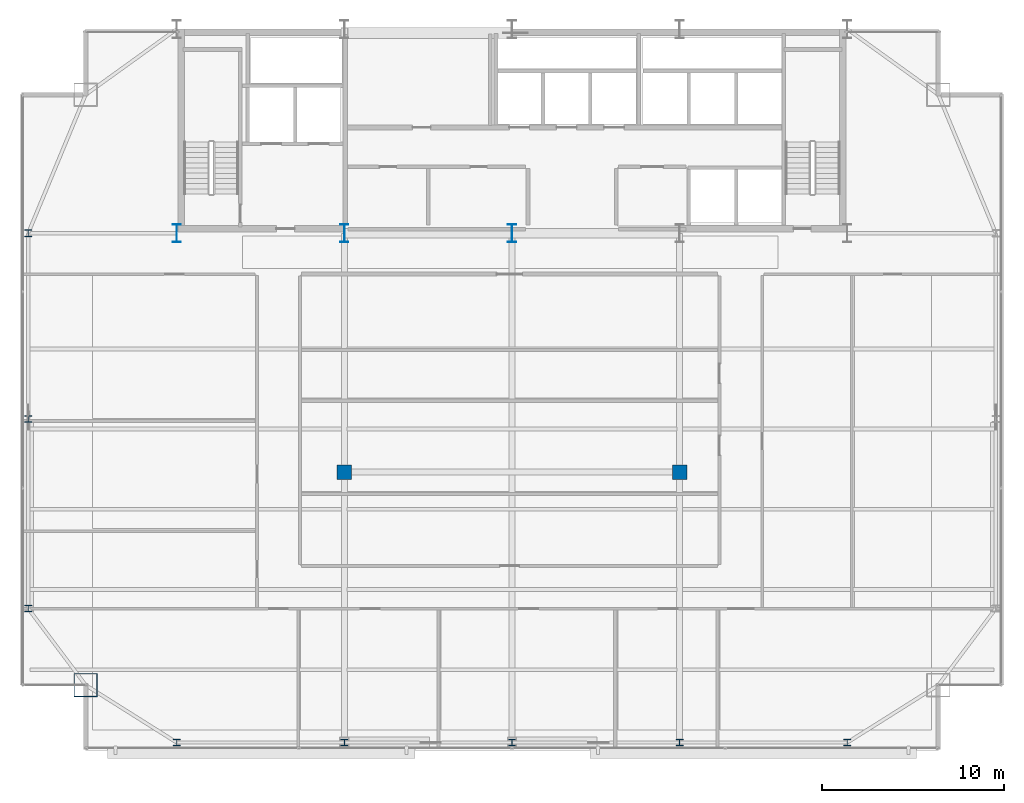
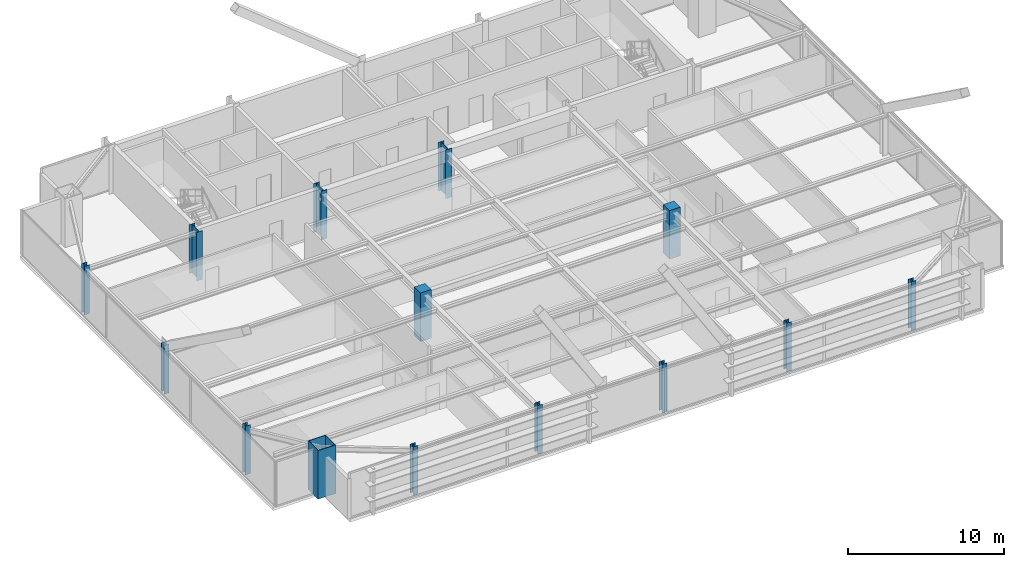
# One storey, part 1 of 30: 14 columns.
"""IFC4 building model written with IfcOpenShell, lengths in metres."""

from ifc_helpers import new_model, si_unit, direction, frame, origin, origin_2d, place, context, subcontext, project, spatial, rectangle, hollow_rectangle, i_section, extrude, source, transform, mapped, material, material_profile, profile_set, type_object, type_shapes, element, save


model = new_model("IFC4")

# Units and contexts
model_context = context("Model", 3, precision=1e-05, world=origin(), true_north=direction((0.0, 1.0)))
body_context = subcontext(model_context, "Body", "Model", "MODEL_VIEW")
ifc_project = project(units=[si_unit("LENGTHUNIT", "METRE"), si_unit("AREAUNIT", "SQUARE_METRE"), si_unit("VOLUMEUNIT", "CUBIC_METRE"), si_unit("PLANEANGLEUNIT", "RADIAN"), si_unit("MASSUNIT", "GRAM", prefix="KILO")], contexts=[model_context])

# Site, building, storey
site_placement = place(None, origin())
site = spatial("IfcSite", under=ifc_project, at=site_placement, CompositionType="ELEMENT")
building_placement = place(site_placement, origin())
building = spatial("IfcBuilding", under=site, at=building_placement, Name="Varnel Quay Broadcast Tower", CompositionType="ELEMENT")
storey_placement = place(building_placement, frame((0.0, 0.0, 180.0)))
storey = spatial("IfcBuildingStorey", under=building, at=storey_placement, Name="L44", CompositionType="ELEMENT", Elevation=180.0)

# Columns
ifc_material_1 = material(Name="Structural Steel CSA G40.21 350WT", Category="steel")
ifc_material_profile_1 = material_profile(ifc_material_1, i_section(OverallWidth=0.449951171875, OverallDepth=1.0, WebThickness=0.01611328125, FlangeThickness=0.030029296875, FilletRadius=0.01611328125, at=origin_2d()), Name="WWF1000X362")
ifc_profile_set_1 = profile_set([ifc_material_profile_1], Name="Structural Steel CSA G40.21 350WT")
column_type_1 = type_object("IfcColumnType", Name="Col_WWF1000X362", PredefinedType="COLUMN", material=ifc_profile_set_1)
shared_shape_1 = source(origin(), body_context, "Body", "SweptSolid", [
    extrude(i_section(OverallWidth=0.449951171875, OverallDepth=1.0, WebThickness=0.01611328125, FlangeThickness=0.030029296875, FilletRadius=0.01611328125, at=origin_2d()), origin(), (0.0, 0.0, 1.0), 3.800048828125),
])
type_shapes(column_type_1, [shared_shape_1])
for number, where, z_axis, x_axis, name in (
    (1, (15.60009765625, 35.60009765625, 0.0), (0.0, 0.0, 1.0), (1.0, 0.0, 0.0), "L44 Column CC-S1"),
    (2, (24.800048828125, 35.60009765625, 0.0), (0.0, 0.0, 1.0), (1.0, 0.0, 0.0), "L44 Column CC-S2"),
    (3, (34.0, 35.60009765625, 0.0), (0.0, 0.0, 1.0), (1.0, 0.0, 0.0), "L44 Column CC-S3"),
):
    element("IfcColumn", number, at=place(storey_placement, frame(where, z_axis=z_axis, x_axis=x_axis)), inside=storey, type_object=column_type_1, Name=name, PredefinedType="COLUMN", context=body_context, shape_type="MappedRepresentation", body=[
        mapped(shared_shape_1, transform((0.0, 0.0, 0.0), x_axis=(1.0, 0.0, 0.0), y_axis=(0.0, 1.0, 0.0), z_axis=(0.0, 0.0, 1.0), scale=1.0)),
    ])
ifc_material_profile_2 = material_profile(ifc_material_1, hollow_rectangle(XDim=1.300048828125, YDim=1.300048828125, WallThickness=0.050048828125, at=origin_2d()), Name="BOX1300X1300X50")
ifc_profile_set_2 = profile_set([ifc_material_profile_2], Name="Structural Steel CSA G40.21 350WT")
column_type_2 = type_object("IfcColumnType", Name="Col_BOX1300X1300X50", PredefinedType="COLUMN", material=ifc_profile_set_2)
shared_shape_2 = source(origin(), body_context, "Body", "SweptSolid", [
    extrude(hollow_rectangle(XDim=1.300048828125, YDim=1.300048828125, WallThickness=0.050048828125, at=origin_2d()), origin(), (0.0, 0.0, 1.0), 3.800048828125),
])
type_shapes(column_type_2, [shared_shape_2])
column_placement = place(storey_placement, frame((10.60009765625, 10.800048828125, 0.0), z_axis=(0.0, 0.0, 1.0), x_axis=(1.0, 0.0, 0.0)))
element("IfcColumn", 4, at=column_placement, inside=storey, type_object=column_type_2, Name="L44 Column MC-SW", PredefinedType="COLUMN", context=body_context, shape_type="MappedRepresentation", body=[
    mapped(shared_shape_2, transform((0.0, 0.0, 0.0), x_axis=(1.0, 0.0, 0.0), y_axis=(0.0, 1.0, 0.0), z_axis=(0.0, 0.0, 1.0), scale=1.0)),
])
ifc_material_2 = material(Name="Structural Steel CSA G40.21 350W", Category="steel")
ifc_material_profile_3 = material_profile(ifc_material_2, i_section(OverallWidth=0.3740234375, OverallDepth=0.3720703125, WebThickness=0.016357421875, FlangeThickness=0.026123046875, FilletRadius=0.01611328125, at=origin_2d()), Name="W360X196")
ifc_profile_set_3 = profile_set([ifc_material_profile_3], Name="Structural Steel CSA G40.21 350W")
column_type_3 = type_object("IfcColumnType", Name="Col_W360X196", PredefinedType="COLUMN", material=ifc_profile_set_3)
shared_shape_3 = source(origin(), body_context, "Body", "SweptSolid", [
    extrude(i_section(OverallWidth=0.3740234375, OverallDepth=0.3720703125, WebThickness=0.016357421875, FlangeThickness=0.026123046875, FilletRadius=0.01611328125, at=origin_2d()), origin(), (0.0, 0.0, 1.0), 3.800048828125),
])
type_shapes(column_type_3, [shared_shape_3])
for number, where, z_axis, x_axis, name in (
    (5, (15.60009765625, 7.64990234375, 0.0), (0.0, 0.0, 1.0), (1.0, 0.0, 0.0), "L44 Column TC-S1"),
    (6, (24.800048828125, 7.64990234375, 0.0), (0.0, 0.0, 1.0), (1.0, 0.0, 0.0), "L44 Column TC-S2"),
    (7, (34.0, 7.64990234375, 0.0), (0.0, 0.0, 1.0), (1.0, 0.0, 0.0), "L44 Column TC-S3"),
    (8, (43.199951171875, 7.64990234375, 0.0), (0.0, 0.0, 1.0), (1.0, 0.0, 0.0), "L44 Column TC-S4"),
    (9, (52.39990234375, 7.64990234375, 0.0), (0.0, 0.0, 1.0), (1.0, 0.0, 0.0), "L44 Column TC-S5"),
    (10, (7.449951171875, 15.0, 0.0), (0.0, 0.0, 1.0), (1.0, 0.0, 0.0), "L44 Column TC-W1"),
    (11, (7.449951171875, 25.39990234375, 0.0), (0.0, 0.0, 1.0), (1.0, 0.0, 0.0), "L44 Column TC-W2"),
    (12, (7.449951171875, 35.60009765625, 0.0), (0.0, 0.0, 1.0), (1.0, 0.0, 0.0), "L44 Column TC-W3"),
):
    element("IfcColumn", number, at=place(storey_placement, frame(where, z_axis=z_axis, x_axis=x_axis)), inside=storey, type_object=column_type_3, Name=name, PredefinedType="COLUMN", context=body_context, shape_type="MappedRepresentation", body=[
        mapped(shared_shape_3, transform((0.0, 0.0, 0.0), x_axis=(1.0, 0.0, 0.0), y_axis=(0.0, 1.0, 0.0), z_axis=(0.0, 0.0, 1.0), scale=1.0)),
    ])
ifc_material_3 = material(Name="Concrete CSA A23.3 C50/60", Category="concrete")
ifc_material_profile_4 = material_profile(ifc_material_3, rectangle(XDim=0.800048828125, YDim=0.800048828125, at=origin_2d()), Name="RC800X800")
ifc_profile_set_4 = profile_set([ifc_material_profile_4], Name="Concrete CSA A23.3 C50/60")
column_type_4 = type_object("IfcColumnType", Name="Col_RC800X800", PredefinedType="COLUMN", material=ifc_profile_set_4)
shared_shape_4 = source(origin(), body_context, "Body", "SweptSolid", [
    extrude(rectangle(XDim=0.800048828125, YDim=0.800048828125, at=origin_2d()), origin(), (0.0, 0.0, 1.0), 3.800048828125),
])
type_shapes(column_type_4, [shared_shape_4])
for number, where, z_axis, x_axis, name in (
    (13, (24.800048828125, 22.489990234375, 0.0), (0.0, 0.0, 1.0), (1.0, 0.0, 0.0), "L44 Column IC-01"),
    (14, (43.199951171875, 22.489990234375, 0.0), (0.0, 0.0, 1.0), (1.0, 0.0, 0.0), "L44 Column IC-02"),
):
    element("IfcColumn", number, at=place(storey_placement, frame(where, z_axis=z_axis, x_axis=x_axis)), inside=storey, type_object=column_type_4, Name=name, PredefinedType="COLUMN", context=body_context, shape_type="MappedRepresentation", body=[
        mapped(shared_shape_4, transform((0.0, 0.0, 0.0), x_axis=(1.0, 0.0, 0.0), y_axis=(0.0, 1.0, 0.0), z_axis=(0.0, 0.0, 1.0), scale=1.0)),
    ])

save(model, "model.ifc")
